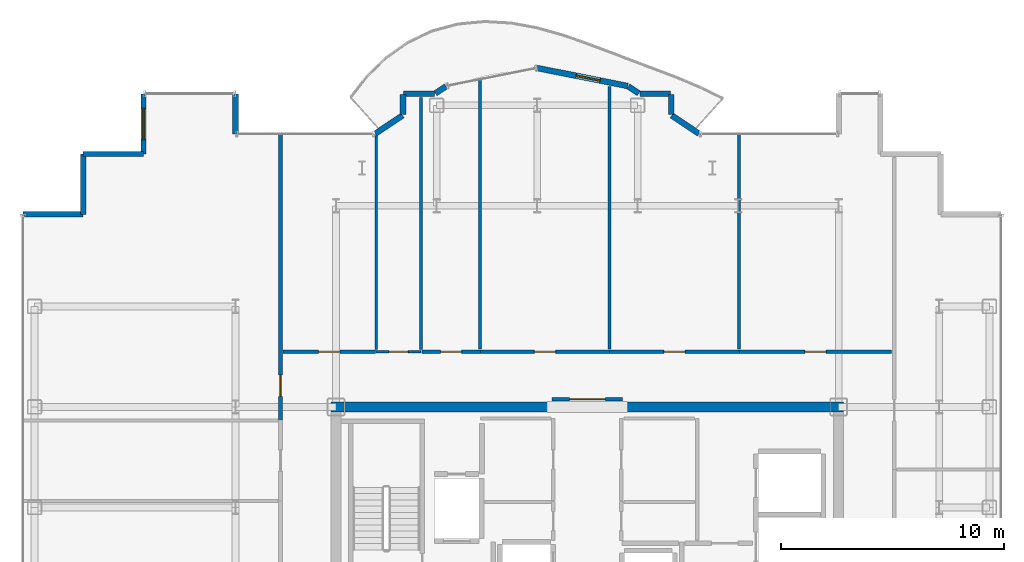
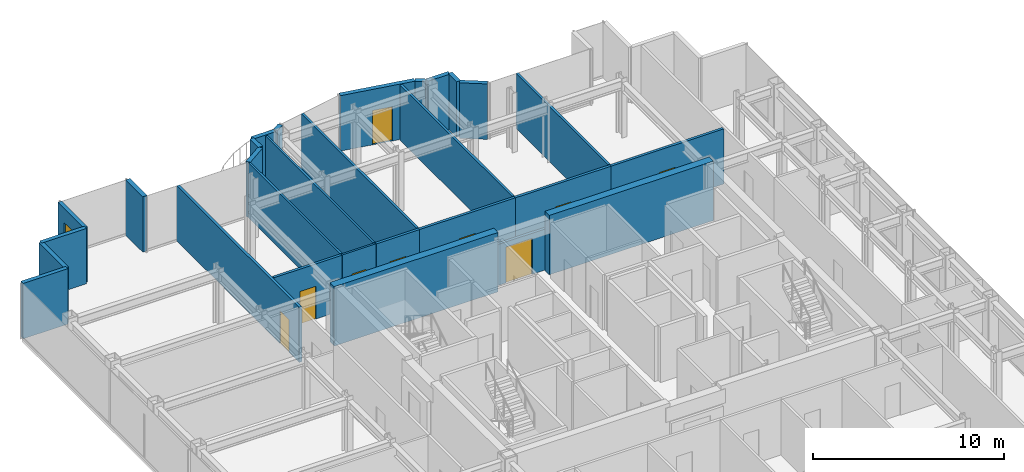
# One storey, part 16 of 18: 29 walls, 9 doors, 1 window, 10 openings.
"""IFC4 building model written with IfcOpenShell, lengths in metres."""

from ifc_helpers import new_model, si_unit, direction, frame, frame_2d, origin, place, context, subcontext, project, spatial, rectangle, extrude, source, transform, mapped, material, layer, layer_set, type_object, element, fill, save


model = new_model("IFC4")

# Units and contexts
model_context = context("Model", 3, precision=1e-05, world=origin(), true_north=direction((0.0, 1.0)))
body_context = subcontext(model_context, "Body", "Model", "MODEL_VIEW")
ifc_project = project(units=[si_unit("LENGTHUNIT", "METRE"), si_unit("AREAUNIT", "SQUARE_METRE"), si_unit("VOLUMEUNIT", "CUBIC_METRE"), si_unit("PLANEANGLEUNIT", "RADIAN"), si_unit("MASSUNIT", "GRAM", prefix="KILO")], contexts=[model_context])

# Site, building, storey
site_placement = place(None, origin())
site = spatial("IfcSite", under=ifc_project, at=site_placement, CompositionType="ELEMENT")
building_placement = place(site_placement, origin())
building = spatial("IfcBuilding", under=site, at=building_placement, Name="Nefas-Gora Pilgrimage Tower", CompositionType="ELEMENT")
storey_placement = place(building_placement, frame((0.0, 0.0, 283.60009765625)))
storey = spatial("IfcBuildingStorey", under=building, at=storey_placement, Name="L71", CompositionType="ELEMENT", Elevation=283.60009765625)

# Walls
ifc_material_1 = material(Name="Concrete C50/60", Category="concrete")
ifc_layer_1 = layer(ifc_material_1, 0.449951171875)
ifc_layer_set_1 = layer_set([ifc_layer_1], Name="Concrete C50/60")
wall_type_1 = type_object("IfcWallType", Name="SW-CORE-450", PredefinedType="SHEAR", material=ifc_layer_set_1)
shared_shape_1 = source(origin(), body_context, "Body", "SweptSolid", [
    extrude(rectangle(XDim=9.925048828125, YDim=0.449951171875, at=frame_2d((4.96240234375, 0.0))), origin(), (0.0, 0.0, 1.0), 3.7998046875),
])
for number, where, z_axis, x_axis, name in (
    (1, (-11.47509765625, 9.0, 0.0), (0.0, 0.0, 1.0), (1.0, 0.0, 0.0), "L71 Core Shear Wall N-West"),
    (2, (1.550048828125, 9.0, 0.0), (0.0, 0.0, 1.0), (1.0, 0.0, 0.0), "L71 Core Shear Wall N-East"),
):
    element("IfcWall", number, at=place(storey_placement, frame(where, z_axis=z_axis, x_axis=x_axis)), inside=storey, type_object=wall_type_1, Name=name, PredefinedType="SHEAR", context=body_context, shape_type="MappedRepresentation", body=[
        mapped(shared_shape_1, transform((0.0, 0.0, 0.0), x_axis=(1.0, 0.0, 0.0), y_axis=(0.0, 1.0, 0.0), z_axis=(0.0, 0.0, 1.0), scale=1.0)),
    ])
ifc_material_2 = material(Name="Precast concrete C40/50", Category="concrete")
ifc_layer_2 = layer(ifc_material_2, 0.260009765625)
ifc_layer_set_2 = layer_set([ifc_layer_2], Name="Precast concrete C40/50")
wall_type_2 = type_object("IfcWallType", Name="EW-PORTAL-260", PredefinedType="SOLIDWALL", material=ifc_layer_set_2)
shared_shape_2 = source(origin(), body_context, "Body", "SweptSolid", [
    extrude(rectangle(XDim=1.800048828125, YDim=0.260009765625, at=frame_2d((0.89990234375, 0.0))), origin(), (0.0, 0.0, 1.0), 3.5498046875),
])
wall_1_placement = place(storey_placement, frame((-15.75, 21.219970703125, 0.0), z_axis=(0.0, 0.0, 1.0), x_axis=(0.0, 1.0, 0.0)))
element("IfcWall", 3, at=wall_1_placement, inside=storey, type_object=wall_type_2, Name="L71 Lobe Shoulder Precast Spandrel Pier 16", PredefinedType="SOLIDWALL", context=body_context, shape_type="MappedRepresentation", body=[
    mapped(shared_shape_2, transform((0.0, 0.0, 0.0), x_axis=(1.0, 0.0, 0.0), y_axis=(0.0, 1.0, 0.0), z_axis=(0.0, 0.0, 1.0), scale=1.0)),
])

# Wall, opening, window
ifc_material_3 = material(Name="Precast concrete C45/55", Category="concrete")
ifc_layer_3 = layer(ifc_material_3, 0.239990234375)
ifc_layer_set_3 = layer_set([ifc_layer_3], Name="Precast concrete C45/55")
wall_type_3 = type_object("IfcWallType", Name="EW-SERR-240", PredefinedType="SHEAR", material=ifc_layer_set_3)
shared_shape_3 = source(origin(), body_context, "Body", "SweptSolid", [
    extrude(rectangle(XDim=2.699951171875, YDim=0.239990234375, at=frame_2d((1.35009765625, 0.0))), origin(), (0.0, 0.0, 1.0), 3.5498046875),
])
wall_2_placement = place(storey_placement, frame((-19.8701171875, 23.02001953125, 0.0), z_axis=(0.0, 0.0, 1.0), x_axis=(0.0, -1.0, 0.0)))
wall_2 = element("IfcWall", 4, at=wall_2_placement, inside=storey, type_object=wall_type_3, Name="L71 Serrated Corner Shear Pier Wall 17", PredefinedType="SHEAR", context=body_context, shape_type="MappedRepresentation", body=[
    mapped(shared_shape_3, transform((0.0, 0.0, 0.0), x_axis=(1.0, 0.0, 0.0), y_axis=(0.0, 1.0, 0.0), z_axis=(0.0, 0.0, 1.0), scale=1.0)),
])
opening_1_placement = place(wall_2_placement, frame((0.64990234375, 0.0, 0.85009765625)))
opening_1 = element("IfcOpeningElement", 5, at=opening_1_placement, cuts=wall_2, Name="Opening W-V2", PredefinedType="OPENING", context=body_context, shape_type="SweptSolid", body=[
    extrude(rectangle(XDim=1.39990234375, YDim=1.800048828125, at=frame_2d((0.699951171875, 0.89990234375))), frame((0.0, 0.1298828125, 0.0), z_axis=(0.0, -1.0, 0.0), x_axis=(1.0, 0.0, 0.0)), (0.0, 0.0, 1.0), 0.260009765625),
])
ifc_material_4 = material(Name="Dark ceramic-fritted operable aluminium-glass window", Category="aluminium")
window_type = type_object("IfcWindowType", Name="WIN-VENT-1400x1800", PartitioningType="SINGLE_PANEL", PredefinedType="WINDOW", material=ifc_material_4)
shared_shape_4 = source(origin(), body_context, "Body", "SweptSolid", [
    extrude(rectangle(XDim=1.39990234375, YDim=1.800048828125, at=frame_2d((0.699951171875, 0.89990234375))), frame((0.0, 0.030029296875, 0.0), z_axis=(0.0, -1.0, 0.0), x_axis=(1.0, 0.0, 0.0)), (0.0, 0.0, 1.0), 0.06005859375),
])
window_placement = place(opening_1_placement, origin())
window = element("IfcWindow", 6, at=window_placement, inside=storey, type_object=window_type, Name="L71 Operable Parallel-Outswing Window 17", OverallHeight=1.800048828125, OverallWidth=1.39990234375, PartitioningType="SINGLE_PANEL", PredefinedType="WINDOW", context=body_context, shape_type="MappedRepresentation", body=[
    mapped(shared_shape_4, transform((0.0, 0.0, 0.0), x_axis=(1.0, 0.0, 0.0), y_axis=(0.0, 1.0, 0.0), z_axis=(0.0, 0.0, 1.0), scale=1.0)),
])
fill(opening_1, window)

# Walls
for number, where, z_axis, x_axis, name in (
    (7, (-19.8701171875, 20.320068359375, 0.0), (0.0, 0.0, 1.0), (-1.0, 0.0, 0.0), "L71 Serrated Corner Shear Pier Wall 18"),
    (8, (-22.570068359375, 20.320068359375, 0.0), (0.0, 0.0, 1.0), (0.0, -1.0, 0.0), "L71 Serrated Corner Shear Pier Wall 19"),
    (9, (-22.570068359375, 17.6201171875, 0.0), (0.0, 0.0, 1.0), (-1.0, 0.0, 0.0), "L71 Serrated Corner Shear Pier Wall 20"),
):
    element("IfcWall", number, at=place(storey_placement, frame(where, z_axis=z_axis, x_axis=x_axis)), inside=storey, type_object=wall_type_3, Name=name, PredefinedType="SHEAR", context=body_context, shape_type="MappedRepresentation", body=[
        mapped(shared_shape_3, transform((0.0, 0.0, 0.0), x_axis=(1.0, 0.0, 0.0), y_axis=(0.0, 1.0, 0.0), z_axis=(0.0, 0.0, 1.0), scale=1.0)),
    ])
shared_shape_5 = source(origin(), body_context, "Body", "SweptSolid", [
    extrude(rectangle(XDim=1.468994140625, YDim=0.260009765625, at=frame_2d((0.734375, 0.0))), origin(), (0.0, 0.0, 1.0), 3.5498046875),
])
for number, where, z_axis, x_axis, name in (
    (10, (4.99462890625, 21.235595703125, 0.0), (0.0, 0.0, 1.0), (-0.831461760506, 0.555581983884, 0.0), "L71 Lobe Shoulder Precast Spandrel Pier 7"),
    (11, (-8.273193359375, 22.0517578125, 0.0), (0.0, 0.0, 1.0), (-0.831461760506, -0.555581983884, 0.0), "L71 Lobe Shoulder Precast Spandrel Pier 15"),
):
    element("IfcWall", number, at=place(storey_placement, frame(where, z_axis=z_axis, x_axis=x_axis)), inside=storey, type_object=wall_type_2, Name=name, PredefinedType="SOLIDWALL", context=body_context, shape_type="MappedRepresentation", body=[
        mapped(shared_shape_5, transform((0.0, 0.0, 0.0), x_axis=(1.0, 0.0, 0.0), y_axis=(0.0, 1.0, 0.0), z_axis=(0.0, 0.0, 1.0), scale=1.0)),
    ])
shared_shape_6 = source(origin(), body_context, "Body", "SweptSolid", [
    extrude(rectangle(XDim=0.896728515625, YDim=0.260009765625, at=frame_2d((0.4482421875, 0.0))), origin(), (0.0, 0.0, 1.0), 3.5498046875),
])
for number, where, z_axis, x_axis, name in (
    (12, (3.75, 22.09521484375, 0.0), (0.0, 0.0, 1.0), (0.0, 1.0, 0.0), "L71 Lobe Shoulder Precast Spandrel Pier 8"),
    (13, (-8.25, 22.991943359375, 0.0), (0.0, 0.0, 1.0), (0.0, -1.0, 0.0), "L71 Lobe Shoulder Precast Spandrel Pier 14"),
):
    element("IfcWall", number, at=place(storey_placement, frame(where, z_axis=z_axis, x_axis=x_axis)), inside=storey, type_object=wall_type_2, Name=name, PredefinedType="SOLIDWALL", context=body_context, shape_type="MappedRepresentation", body=[
        mapped(shared_shape_6, transform((0.0, 0.0, 0.0), x_axis=(1.0, 0.0, 0.0), y_axis=(0.0, 1.0, 0.0), z_axis=(0.0, 0.0, 1.0), scale=1.0)),
    ])
shared_shape_7 = source(origin(), body_context, "Body", "SweptSolid", [
    extrude(rectangle(XDim=1.369873046875, YDim=0.260009765625, at=frame_2d((0.68505859375, 0.0))), origin(), (0.0, 0.0, 1.0), 3.5498046875),
])
for number, where, z_axis, x_axis, name in (
    (14, (3.721923828125, 23.02001953125, 0.0), (0.0, 0.0, 1.0), (-1.0, 0.0, 0.0), "L71 Lobe Shoulder Precast Spandrel Pier 9"),
    (15, (-6.85205078125, 23.02001953125, 0.0), (0.0, 0.0, 1.0), (-1.0, 0.0, 0.0), "L71 Lobe Shoulder Precast Spandrel Pier 13"),
):
    element("IfcWall", number, at=place(storey_placement, frame(where, z_axis=z_axis, x_axis=x_axis)), inside=storey, type_object=wall_type_2, Name=name, PredefinedType="SOLIDWALL", context=body_context, shape_type="MappedRepresentation", body=[
        mapped(shared_shape_7, transform((0.0, 0.0, 0.0), x_axis=(1.0, 0.0, 0.0), y_axis=(0.0, 1.0, 0.0), z_axis=(0.0, 0.0, 1.0), scale=1.0)),
    ])
shared_shape_8 = source(origin(), body_context, "Body", "SweptSolid", [
    extrude(rectangle(XDim=0.5654296875, YDim=0.260009765625, at=frame_2d((0.28271484375, 0.0))), origin(), (0.0, 0.0, 1.0), 3.5498046875),
])
for number, where, z_axis, x_axis, name in (
    (16, (2.30078125, 23.03564453125, 0.0), (0.0, 0.0, 1.0), (-0.831651492666, 0.555297933317, 0.0), "L71 Lobe Shoulder Precast Spandrel Pier 10"),
    (17, (-6.33056640625, 23.349609375, 0.0), (0.0, 0.0, 1.0), (-0.831651492666, -0.555297933317, 0.0), "L71 Lobe Shoulder Precast Spandrel Pier 12"),
):
    element("IfcWall", number, at=place(storey_placement, frame(where, z_axis=z_axis, x_axis=x_axis)), inside=storey, type_object=wall_type_2, Name=name, PredefinedType="SOLIDWALL", context=body_context, shape_type="MappedRepresentation", body=[
        mapped(shared_shape_8, transform((0.0, 0.0, 0.0), x_axis=(1.0, 0.0, 0.0), y_axis=(0.0, 1.0, 0.0), z_axis=(0.0, 0.0, 1.0), scale=1.0)),
    ])

# Wall, opening, door
shared_shape_9 = source(origin(), body_context, "Body", "SweptSolid", [
    extrude(rectangle(XDim=4.136962890625, YDim=0.260009765625, at=frame_2d((2.068359375, 0.0))), origin(), (0.0, 0.0, 1.0), 3.5498046875),
])
wall_3_placement = place(storey_placement, frame((1.807373046875, 23.365234375, 0.0), z_axis=(0.0, 0.0, 1.0), x_axis=(-0.980782170794, 0.195105954428, 0.0)))
wall_3 = element("IfcWall", 18, at=wall_3_placement, inside=storey, type_object=wall_type_2, Name="L71 Insulated Terrace Portal Wall 11", PredefinedType="SOLIDWALL", context=body_context, shape_type="MappedRepresentation", body=[
    mapped(shared_shape_9, transform((0.0, 0.0, 0.0), x_axis=(1.0, 0.0, 0.0), y_axis=(0.0, 1.0, 0.0), z_axis=(0.0, 0.0, 1.0), scale=1.0)),
])
opening_2_placement = place(wall_3_placement, frame((1.2607421875, 0.0, 0.0)))
opening_2 = element("IfcOpeningElement", 19, at=opening_2_placement, cuts=wall_3, Name="Opening ED-B1", PredefinedType="OPENING", context=body_context, shape_type="SweptSolid", body=[
    extrude(rectangle(XDim=1.10009765625, YDim=2.199951171875, at=frame_2d((0.550048828125, 1.10009765625))), frame((0.0, 0.139892578125, 0.0), z_axis=(0.0, -1.0, 0.0), x_axis=(1.0, 0.0, 0.0)), (0.0, 0.0, 1.0), 0.280029296875),
])
ifc_material_5 = material(Name="Thermally broken glazed aluminium balcony door", Category="aluminium")
door_type_1 = type_object("IfcDoorType", Name="DR-EXT-BAL-1100", OperationType="NOTDEFINED", PredefinedType="DOOR", material=ifc_material_5)
shared_shape_10 = source(origin(), body_context, "Body", "SweptSolid", [
    extrude(rectangle(XDim=1.10009765625, YDim=2.199951171875, at=frame_2d((0.550048828125, 1.10009765625))), frame((0.0, 0.02490234375, 0.0), z_axis=(0.0, -1.0, 0.0), x_axis=(1.0, 0.0, 0.0)), (0.0, 0.0, 1.0), 0.050048828125),
])
door_1_placement = place(opening_2_placement, origin())
door_1 = element("IfcDoor", 20, at=door_1_placement, inside=storey, type_object=door_type_1, Name="L71 Exterior Door (L71 N Lobe Wave Balcony)", OperationType="SINGLE_SWING_RIGHT", OverallHeight=2.199951171875, OverallWidth=1.10009765625, PredefinedType="DOOR", context=body_context, shape_type="MappedRepresentation", body=[
    mapped(shared_shape_10, transform((0.0, 0.0, 0.0), x_axis=(1.0, 0.0, 0.0), y_axis=(0.0, 1.0, 0.0), z_axis=(0.0, 0.0, 1.0), scale=1.0)),
])
fill(opening_2, door_1)

ifc_material_6 = material(Name="Moisture-resistant fire-rated gypsum partition")
ifc_layer_4 = layer(ifc_material_6, 0.1201171875)
ifc_layer_set_4 = layer_set([ifc_layer_4], Name="Moisture-resistant fire-rated gypsum partition")
wall_type_4 = type_object("IfcWallType", Name="IW-WET-120", PredefinedType="PLUMBINGWALL", material=ifc_layer_set_4)
shared_shape_11 = source(origin(), body_context, "Body", "SweptSolid", [
    extrude(rectangle(XDim=2.02001953125, YDim=0.1201171875, at=frame_2d((1.010009765625, 0.0))), origin(), (0.0, 0.0, 1.0), 3.534912109375),
])
wall_4_placement = place(storey_placement, frame((-9.4599609375, 11.469970703125, 0.0), z_axis=(0.0, 0.0, 1.0), x_axis=(1.0, 0.0, 0.0)))
wall_4 = element("IfcWall", 21, at=wall_4_placement, inside=storey, type_object=wall_type_4, Name="L71 Accessible Unisex WC Partition Wall 36", PredefinedType="PLUMBINGWALL", context=body_context, shape_type="MappedRepresentation", body=[
    mapped(shared_shape_11, transform((0.0, 0.0, 0.0), x_axis=(1.0, 0.0, 0.0), y_axis=(0.0, 1.0, 0.0), z_axis=(0.0, 0.0, 1.0), scale=1.0)),
])
opening_3_placement = place(wall_4_placement, frame((0.5849609375, 0.0, 0.0)))
opening_3 = element("IfcOpeningElement", 22, at=opening_3_placement, cuts=wall_4, Name="Opening ID-BT1", PredefinedType="OPENING", context=body_context, shape_type="SweptSolid", body=[
    extrude(rectangle(XDim=0.85009765625, YDim=2.10009765625, at=frame_2d((0.425048828125, 1.050048828125))), frame((0.0, 0.070068359375, 0.0), z_axis=(0.0, -1.0, 0.0), x_axis=(1.0, 0.0, 0.0)), (0.0, 0.0, 1.0), 0.14013671875),
])
ifc_material_7 = material(Name="Moisture-resistant fire-rated timber door", Category="wood")
door_type_2 = type_object("IfcDoorType", Name="DR-INT-BATH-850", OperationType="NOTDEFINED", PredefinedType="DOOR", material=ifc_material_7)
shared_shape_12 = source(origin(), body_context, "Body", "SweptSolid", [
    extrude(rectangle(XDim=0.85009765625, YDim=2.10009765625, at=frame_2d((0.425048828125, 1.050048828125))), frame((0.0, 0.02490234375, 0.0), z_axis=(0.0, -1.0, 0.0), x_axis=(1.0, 0.0, 0.0)), (0.0, 0.0, 1.0), 0.050048828125),
])
door_2_placement = place(opening_3_placement, origin())
door_2 = element("IfcDoor", 23, at=door_2_placement, inside=storey, type_object=door_type_2, Name="L71 Accessible Unisex WC Door 15", OperationType="SINGLE_SWING_LEFT", OverallHeight=2.10009765625, OverallWidth=0.85009765625, PredefinedType="DOOR", context=body_context, shape_type="MappedRepresentation", body=[
    mapped(shared_shape_12, transform((0.0, 0.0, 0.0), x_axis=(1.0, 0.0, 0.0), y_axis=(0.0, 1.0, 0.0), z_axis=(0.0, 0.0, 1.0), scale=1.0)),
])
fill(opening_3, door_2)

# Walls
shared_shape_13 = source(origin(), body_context, "Body", "SweptSolid", [
    extrude(rectangle(XDim=11.280029296875, YDim=0.1201171875, at=frame_2d((5.64013671875, 0.0))), origin(), (0.0, 0.0, 1.0), 3.534912109375),
])
wall_5_placement = place(storey_placement, frame((-7.449951171875, 11.570068359375, 0.0), z_axis=(0.0, 0.0, 1.0), x_axis=(0.0, 1.0, 0.0)))
element("IfcWall", 24, at=wall_5_placement, inside=storey, type_object=wall_type_4, Name="L71 Accessible Unisex WC Partition Wall 37", PredefinedType="PLUMBINGWALL", context=body_context, shape_type="MappedRepresentation", body=[
    mapped(shared_shape_13, transform((0.0, 0.0, 0.0), x_axis=(1.0, 0.0, 0.0), y_axis=(0.0, 1.0, 0.0), z_axis=(0.0, 0.0, 1.0), scale=1.0)),
])
shared_shape_14 = source(origin(), body_context, "Body", "SweptSolid", [
    extrude(rectangle(XDim=9.586669921875, YDim=0.1201171875, at=frame_2d((4.79345703125, 0.0))), origin(), (0.0, 0.0, 1.0), 3.534912109375),
])
wall_6_placement = place(storey_placement, frame((-9.449951171875, 11.570068359375, 0.0), z_axis=(0.0, 0.0, 1.0), x_axis=(0.0, 1.0, 0.0)))
element("IfcWall", 25, at=wall_6_placement, inside=storey, type_object=wall_type_4, Name="L71 Accessible Unisex WC Partition Wall 38", PredefinedType="PLUMBINGWALL", context=body_context, shape_type="MappedRepresentation", body=[
    mapped(shared_shape_14, transform((0.0, 0.0, 0.0), x_axis=(1.0, 0.0, 0.0), y_axis=(0.0, 1.0, 0.0), z_axis=(0.0, 0.0, 1.0), scale=1.0)),
])

# Wall, opening, door
ifc_material_8 = material(Name="Gypsum acoustic stud partition")
ifc_layer_5 = layer(ifc_material_8, 0.159912109375)
ifc_layer_set_5 = layer_set([ifc_layer_5], Name="Gypsum acoustic stud partition")
wall_type_5 = type_object("IfcWallType", Name="IW-CORR-160", PredefinedType="PARTITIONING", material=ifc_layer_set_5)
shared_shape_15 = source(origin(), body_context, "Body", "SweptSolid", [
    extrude(rectangle(XDim=4.125, YDim=0.159912109375, at=frame_2d((2.0625, 0.0))), origin(), (0.0, 0.0, 1.0), 3.534912109375),
])
wall_7_placement = place(storey_placement, frame((-13.6201171875, 11.469970703125, 0.0), z_axis=(0.0, 0.0, 1.0), x_axis=(1.0, 0.0, 0.0)))
wall_7 = element("IfcWall", 26, at=wall_7_placement, inside=storey, type_object=wall_type_5, Name="L71 Pilgrim Contemplative Lounge Partition Wall 53", PredefinedType="PARTITIONING", context=body_context, shape_type="MappedRepresentation", body=[
    mapped(shared_shape_15, transform((0.0, 0.0, 0.0), x_axis=(1.0, 0.0, 0.0), y_axis=(0.0, 1.0, 0.0), z_axis=(0.0, 0.0, 1.0), scale=1.0)),
])
opening_4_placement = place(wall_7_placement, frame((1.58740234375, 0.0, 0.0)))
opening_4 = element("IfcOpeningElement", 27, at=opening_4_placement, cuts=wall_7, Name="Opening ID-GR1", PredefinedType="OPENING", context=body_context, shape_type="SweptSolid", body=[
    extrude(rectangle(XDim=0.949951171875, YDim=2.10009765625, at=frame_2d((0.47509765625, 1.050048828125))), frame((0.0, 0.08984375, 0.0), z_axis=(0.0, -1.0, 0.0), x_axis=(1.0, 0.0, 0.0)), (0.0, 0.0, 1.0), 0.179931640625),
])
ifc_material_9 = material(Name="Solid core oak fire-rated guest entrance door")
door_type_3 = type_object("IfcDoorType", Name="DR-INT-GUEST-950", OperationType="NOTDEFINED", PredefinedType="DOOR", material=ifc_material_9)
shared_shape_16 = source(origin(), body_context, "Body", "SweptSolid", [
    extrude(rectangle(XDim=0.949951171875, YDim=2.10009765625, at=frame_2d((0.47509765625, 1.050048828125))), frame((0.0, 0.02490234375, 0.0), z_axis=(0.0, -1.0, 0.0), x_axis=(1.0, 0.0, 0.0)), (0.0, 0.0, 1.0), 0.050048828125),
])
door_3_placement = place(opening_4_placement, origin())
door_3 = element("IfcDoor", 28, at=door_3_placement, inside=storey, type_object=door_type_3, Name="L71 Pilgrim Contemplative Lounge Door 24", OperationType="SINGLE_SWING_RIGHT", OverallHeight=2.10009765625, OverallWidth=0.949951171875, PredefinedType="DOOR", context=body_context, shape_type="MappedRepresentation", body=[
    mapped(shared_shape_16, transform((0.0, 0.0, 0.0), x_axis=(1.0, 0.0, 0.0), y_axis=(0.0, 1.0, 0.0), z_axis=(0.0, 0.0, 1.0), scale=1.0)),
])
fill(opening_4, door_3)

# Wall
ifc_material_10 = material(Name="Gypsum twin-stud partition")
ifc_layer_6 = layer(ifc_material_10, 0.139892578125)
ifc_layer_set_6 = layer_set([ifc_layer_6], Name="Gypsum twin-stud partition")
wall_type_6 = type_object("IfcWallType", Name="IW-UNIT-140", PredefinedType="PARTITIONING", material=ifc_layer_set_6)
shared_shape_17 = source(origin(), body_context, "Body", "SweptSolid", [
    extrude(rectangle(XDim=9.64990234375, YDim=0.139892578125, at=frame_2d((4.824951171875, 0.0))), origin(), (0.0, 0.0, 1.0), 3.534912109375),
])
wall_8_placement = place(storey_placement, frame((6.794921875, 11.590087890625, 0.0), z_axis=(0.0, 0.0, 1.0), x_axis=(0.0, 1.0, 0.0)))
element("IfcWall", 29, at=wall_8_placement, inside=storey, type_object=wall_type_6, Name="L71 Pilgrim Contemplative Lounge Partition Wall 59", PredefinedType="PARTITIONING", context=body_context, shape_type="MappedRepresentation", body=[
    mapped(shared_shape_17, transform((0.0, 0.0, 0.0), x_axis=(1.0, 0.0, 0.0), y_axis=(0.0, 1.0, 0.0), z_axis=(0.0, 0.0, 1.0), scale=1.0)),
])

# Wall, opening, door
shared_shape_18 = source(origin(), body_context, "Body", "SweptSolid", [
    extrude(rectangle(XDim=12.844970703125, YDim=0.159912109375, at=frame_2d((6.42236328125, 0.0))), origin(), (0.0, 0.0, 1.0), 3.534912109375),
])
wall_9_placement = place(storey_placement, frame((-13.739990234375, 8.39501953125, 0.0), z_axis=(0.0, 0.0, 1.0), x_axis=(0.0, 1.0, 0.0)))
wall_9 = element("IfcWall", 30, at=wall_9_placement, inside=storey, type_object=wall_type_5, Name="L71 Pilgrim Fellowship Seminar Room Partition Wall 47", PredefinedType="PARTITIONING", context=body_context, shape_type="MappedRepresentation", body=[
    mapped(shared_shape_18, transform((0.0, 0.0, 0.0), x_axis=(1.0, 0.0, 0.0), y_axis=(0.0, 1.0, 0.0), z_axis=(0.0, 0.0, 1.0), scale=1.0)),
])
opening_5_placement = place(wall_9_placement, frame((1.08251953125, 0.0, 0.0)))
opening_5 = element("IfcOpeningElement", 31, at=opening_5_placement, cuts=wall_9, Name="Opening ID-GR1", PredefinedType="OPENING", context=body_context, shape_type="SweptSolid", body=[
    extrude(rectangle(XDim=0.949951171875, YDim=2.10009765625, at=frame_2d((0.47509765625, 1.050048828125))), frame((0.0, 0.08984375, 0.0), z_axis=(0.0, -1.0, 0.0), x_axis=(1.0, 0.0, 0.0)), (0.0, 0.0, 1.0), 0.179931640625),
])
door_4_placement = place(opening_5_placement, origin())
door_4 = element("IfcDoor", 32, at=door_4_placement, inside=storey, type_object=door_type_3, Name="L71 Pilgrim Fellowship Seminar Room Door 20", OperationType="SINGLE_SWING_RIGHT", OverallHeight=2.10009765625, OverallWidth=0.949951171875, PredefinedType="DOOR", context=body_context, shape_type="MappedRepresentation", body=[
    mapped(shared_shape_16, transform((0.0, 0.0, 0.0), x_axis=(1.0, 0.0, 0.0), y_axis=(0.0, 1.0, 0.0), z_axis=(0.0, 0.0, 1.0), scale=1.0)),
])
fill(opening_5, door_4)

shared_shape_19 = source(origin(), body_context, "Body", "SweptSolid", [
    extrude(rectangle(XDim=2.610107421875, YDim=0.159912109375, at=frame_2d((1.30517578125, 0.0))), origin(), (0.0, 0.0, 1.0), 3.534912109375),
])
wall_10_placement = place(storey_placement, frame((-7.405029296875, 11.469970703125, 0.0), z_axis=(0.0, 0.0, 1.0), x_axis=(1.0, 0.0, 0.0)))
wall_10 = element("IfcWall", 33, at=wall_10_placement, inside=storey, type_object=wall_type_5, Name="L71 Pilgrim Contemplative Lounge Partition Wall 54", PredefinedType="PARTITIONING", context=body_context, shape_type="MappedRepresentation", body=[
    mapped(shared_shape_19, transform((0.0, 0.0, 0.0), x_axis=(1.0, 0.0, 0.0), y_axis=(0.0, 1.0, 0.0), z_axis=(0.0, 0.0, 1.0), scale=1.0)),
])
opening_6_placement = place(wall_10_placement, frame((0.830078125, 0.0, 0.0)))
opening_6 = element("IfcOpeningElement", 34, at=opening_6_placement, cuts=wall_10, Name="Opening ID-GR1", PredefinedType="OPENING", context=body_context, shape_type="SweptSolid", body=[
    extrude(rectangle(XDim=0.949951171875, YDim=2.10009765625, at=frame_2d((0.47509765625, 1.050048828125))), frame((0.0, 0.08984375, 0.0), z_axis=(0.0, -1.0, 0.0), x_axis=(1.0, 0.0, 0.0)), (0.0, 0.0, 1.0), 0.179931640625),
])
door_5_placement = place(opening_6_placement, origin())
door_5 = element("IfcDoor", 35, at=door_5_placement, inside=storey, type_object=door_type_3, Name="L71 Pilgrim Contemplative Lounge Door 25", OperationType="SINGLE_SWING_LEFT", OverallHeight=2.10009765625, OverallWidth=0.949951171875, PredefinedType="DOOR", context=body_context, shape_type="MappedRepresentation", body=[
    mapped(shared_shape_16, transform((0.0, 0.0, 0.0), x_axis=(1.0, 0.0, 0.0), y_axis=(0.0, 1.0, 0.0), z_axis=(0.0, 0.0, 1.0), scale=1.0)),
])
fill(opening_6, door_5)

# Wall
shared_shape_20 = source(origin(), body_context, "Body", "SweptSolid", [
    extrude(rectangle(XDim=12.096435546875, YDim=0.139892578125, at=frame_2d((6.04833984375, 0.0))), origin(), (0.0, 0.0, 1.0), 3.534912109375),
])
wall_11_placement = place(storey_placement, frame((-4.804931640625, 11.590087890625, 0.0), z_axis=(0.0, 0.0, 1.0), x_axis=(0.0, 1.0, 0.0)))
element("IfcWall", 36, at=wall_11_placement, inside=storey, type_object=wall_type_6, Name="L71 Pilgrim Contemplative Lounge Partition Wall 55", PredefinedType="PARTITIONING", context=body_context, shape_type="MappedRepresentation", body=[
    mapped(shared_shape_20, transform((0.0, 0.0, 0.0), x_axis=(1.0, 0.0, 0.0), y_axis=(0.0, 1.0, 0.0), z_axis=(0.0, 0.0, 1.0), scale=1.0)),
])

# Wall, opening, door
shared_shape_21 = source(origin(), body_context, "Body", "SweptSolid", [
    extrude(rectangle(XDim=5.804931640625, YDim=0.159912109375, at=frame_2d((2.90234375, 0.0))), origin(), (0.0, 0.0, 1.0), 3.534912109375),
])
wall_12_placement = place(storey_placement, frame((-4.804931640625, 11.469970703125, 0.0), z_axis=(0.0, 0.0, 1.0), x_axis=(1.0, 0.0, 0.0)))
wall_12 = element("IfcWall", 37, at=wall_12_placement, inside=storey, type_object=wall_type_5, Name="L71 Pilgrim Contemplative Lounge Partition Wall 56", PredefinedType="PARTITIONING", context=body_context, shape_type="MappedRepresentation", body=[
    mapped(shared_shape_21, transform((0.0, 0.0, 0.0), x_axis=(1.0, 0.0, 0.0), y_axis=(0.0, 1.0, 0.0), z_axis=(0.0, 0.0, 1.0), scale=1.0)),
])
opening_7_placement = place(wall_12_placement, frame((2.427490234375, 0.0, 0.0)))
opening_7 = element("IfcOpeningElement", 38, at=opening_7_placement, cuts=wall_12, Name="Opening ID-GR1", PredefinedType="OPENING", context=body_context, shape_type="SweptSolid", body=[
    extrude(rectangle(XDim=0.949951171875, YDim=2.10009765625, at=frame_2d((0.47509765625, 1.050048828125))), frame((0.0, 0.08984375, 0.0), z_axis=(0.0, -1.0, 0.0), x_axis=(1.0, 0.0, 0.0)), (0.0, 0.0, 1.0), 0.179931640625),
])
door_6_placement = place(opening_7_placement, origin())
door_6 = element("IfcDoor", 39, at=door_6_placement, inside=storey, type_object=door_type_3, Name="L71 Pilgrim Contemplative Lounge Door 26", OperationType="SINGLE_SWING_RIGHT", OverallHeight=2.10009765625, OverallWidth=0.949951171875, PredefinedType="DOOR", context=body_context, shape_type="MappedRepresentation", body=[
    mapped(shared_shape_16, transform((0.0, 0.0, 0.0), x_axis=(1.0, 0.0, 0.0), y_axis=(0.0, 1.0, 0.0), z_axis=(0.0, 0.0, 1.0), scale=1.0)),
])
fill(opening_7, door_6)

wall_13_placement = place(storey_placement, frame((1.0, 11.469970703125, 0.0), z_axis=(0.0, 0.0, 1.0), x_axis=(1.0, 0.0, 0.0)))
wall_13 = element("IfcWall", 40, at=wall_13_placement, inside=storey, type_object=wall_type_5, Name="L71 Pilgrim Contemplative Lounge Partition Wall 58", PredefinedType="PARTITIONING", context=body_context, shape_type="MappedRepresentation", body=[
    mapped(shared_shape_21, transform((0.0, 0.0, 0.0), x_axis=(1.0, 0.0, 0.0), y_axis=(0.0, 1.0, 0.0), z_axis=(0.0, 0.0, 1.0), scale=1.0)),
])
opening_8_placement = place(wall_13_placement, frame((2.427490234375, 0.0, 0.0)))
opening_8 = element("IfcOpeningElement", 41, at=opening_8_placement, cuts=wall_13, Name="Opening ID-GR1", PredefinedType="OPENING", context=body_context, shape_type="SweptSolid", body=[
    extrude(rectangle(XDim=0.949951171875, YDim=2.10009765625, at=frame_2d((0.47509765625, 1.050048828125))), frame((0.0, 0.08984375, 0.0), z_axis=(0.0, -1.0, 0.0), x_axis=(1.0, 0.0, 0.0)), (0.0, 0.0, 1.0), 0.179931640625),
])
door_7_placement = place(opening_8_placement, origin())
door_7 = element("IfcDoor", 42, at=door_7_placement, inside=storey, type_object=door_type_3, Name="L71 Pilgrim Contemplative Lounge Door 27", OperationType="SINGLE_SWING_LEFT", OverallHeight=2.10009765625, OverallWidth=0.949951171875, PredefinedType="DOOR", context=body_context, shape_type="MappedRepresentation", body=[
    mapped(shared_shape_16, transform((0.0, 0.0, 0.0), x_axis=(1.0, 0.0, 0.0), y_axis=(0.0, 1.0, 0.0), z_axis=(0.0, 0.0, 1.0), scale=1.0)),
])
fill(opening_8, door_7)

shared_shape_22 = source(origin(), body_context, "Body", "SweptSolid", [
    extrude(rectangle(XDim=6.8251953125, YDim=0.159912109375, at=frame_2d((3.41259765625, 0.0))), origin(), (0.0, 0.0, 1.0), 3.534912109375),
])
wall_14_placement = place(storey_placement, frame((6.794921875, 11.469970703125, 0.0), z_axis=(0.0, 0.0, 1.0), x_axis=(1.0, 0.0, 0.0)))
wall_14 = element("IfcWall", 43, at=wall_14_placement, inside=storey, type_object=wall_type_5, Name="L71 Pilgrim Contemplative Lounge Partition Wall 60", PredefinedType="PARTITIONING", context=body_context, shape_type="MappedRepresentation", body=[
    mapped(shared_shape_22, transform((0.0, 0.0, 0.0), x_axis=(1.0, 0.0, 0.0), y_axis=(0.0, 1.0, 0.0), z_axis=(0.0, 0.0, 1.0), scale=1.0)),
])
opening_9_placement = place(wall_14_placement, frame((2.9375, 0.0, 0.0)))
opening_9 = element("IfcOpeningElement", 44, at=opening_9_placement, cuts=wall_14, Name="Opening ID-GR1", PredefinedType="OPENING", context=body_context, shape_type="SweptSolid", body=[
    extrude(rectangle(XDim=0.949951171875, YDim=2.10009765625, at=frame_2d((0.47509765625, 1.050048828125))), frame((0.0, 0.08984375, 0.0), z_axis=(0.0, -1.0, 0.0), x_axis=(1.0, 0.0, 0.0)), (0.0, 0.0, 1.0), 0.179931640625),
])
door_8_placement = place(opening_9_placement, origin())
door_8 = element("IfcDoor", 45, at=door_8_placement, inside=storey, type_object=door_type_3, Name="L71 Pilgrim Contemplative Lounge Door 28", OperationType="SINGLE_SWING_RIGHT", OverallHeight=2.10009765625, OverallWidth=0.949951171875, PredefinedType="DOOR", context=body_context, shape_type="MappedRepresentation", body=[
    mapped(shared_shape_16, transform((0.0, 0.0, 0.0), x_axis=(1.0, 0.0, 0.0), y_axis=(0.0, 1.0, 0.0), z_axis=(0.0, 0.0, 1.0), scale=1.0)),
])
fill(opening_9, door_8)

shared_shape_23 = source(origin(), body_context, "Body", "SweptSolid", [
    extrude(rectangle(XDim=3.16015625, YDim=0.159912109375, at=frame_2d((1.580078125, 0.0))), origin(), (0.0, 0.0, 1.0), 2.625),
])
wall_15_placement = place(storey_placement, frame((-1.580078125, 9.35009765625, 0.0), z_axis=(0.0, 0.0, 1.0), x_axis=(1.0, 0.0, 0.0)))
wall_15 = element("IfcWall", 46, at=wall_15_placement, inside=storey, type_object=wall_type_5, Name="L71 Central Lift Lobby North Portal Wall 16", PredefinedType="PARTITIONING", context=body_context, shape_type="MappedRepresentation", body=[
    mapped(shared_shape_23, transform((0.0, 0.0, 0.0), x_axis=(1.0, 0.0, 0.0), y_axis=(0.0, 1.0, 0.0), z_axis=(0.0, 0.0, 1.0), scale=1.0)),
])
opening_10_placement = place(wall_15_placement, frame((0.780029296875, 0.0, 0.0)))
opening_10 = element("IfcOpeningElement", 47, at=opening_10_placement, cuts=wall_15, Name="Opening ID-HL1", PredefinedType="OPENING", context=body_context, shape_type="SweptSolid", body=[
    extrude(rectangle(XDim=1.60009765625, YDim=2.300048828125, at=frame_2d((0.800048828125, 1.14990234375))), frame((0.0, 0.08984375, 0.0), z_axis=(0.0, -1.0, 0.0), x_axis=(1.0, 0.0, 0.0)), (0.0, 0.0, 1.0), 0.179931640625),
])
ifc_material_11 = material(Name="Double acoustic timber assembly hall door", Category="wood")
door_type_4 = type_object("IfcDoorType", Name="DR-INT-HALL-1600", OperationType="DOUBLE_DOOR_SINGLE_SWING", PredefinedType="DOOR", material=ifc_material_11)
shared_shape_24 = source(origin(), body_context, "Body", "SweptSolid", [
    extrude(rectangle(XDim=1.60009765625, YDim=2.300048828125, at=frame_2d((0.800048828125, 1.14990234375))), frame((0.0, 0.02490234375, 0.0), z_axis=(0.0, -1.0, 0.0), x_axis=(1.0, 0.0, 0.0)), (0.0, 0.0, 1.0), 0.050048828125),
])
door_9_placement = place(opening_10_placement, origin())
door_9 = element("IfcDoor", 48, at=door_9_placement, inside=storey, type_object=door_type_4, Name="L71 Central Lift Lobby North Portal Door 6", OperationType="DOUBLE_DOOR_SINGLE_SWING", OverallHeight=2.300048828125, OverallWidth=1.60009765625, PredefinedType="DOOR", context=body_context, shape_type="MappedRepresentation", body=[
    mapped(shared_shape_24, transform((0.0, 0.0, 0.0), x_axis=(1.0, 0.0, 0.0), y_axis=(0.0, 1.0, 0.0), z_axis=(0.0, 0.0, 1.0), scale=1.0)),
])
fill(opening_10, door_9)

# Wall
shared_shape_25 = source(origin(), body_context, "Body", "SweptSolid", [
    extrude(rectangle(XDim=11.7646484375, YDim=0.139892578125, at=frame_2d((5.88232421875, 0.0))), origin(), (0.0, 0.0, 1.0), 3.534912109375),
])
wall_16_placement = place(storey_placement, frame((0.989990234375, 11.590087890625, 0.0), z_axis=(0.0, 0.0, 1.0), x_axis=(0.0, 1.0, 0.0)))
element("IfcWall", 49, at=wall_16_placement, inside=storey, type_object=wall_type_6, Name="L71 Pilgrim Contemplative Lounge Partition Wall 57", PredefinedType="PARTITIONING", context=body_context, shape_type="MappedRepresentation", body=[
    mapped(shared_shape_25, transform((0.0, 0.0, 0.0), x_axis=(1.0, 0.0, 0.0), y_axis=(0.0, 1.0, 0.0), z_axis=(0.0, 0.0, 1.0), scale=1.0)),
])

save(model, "model.ifc")
